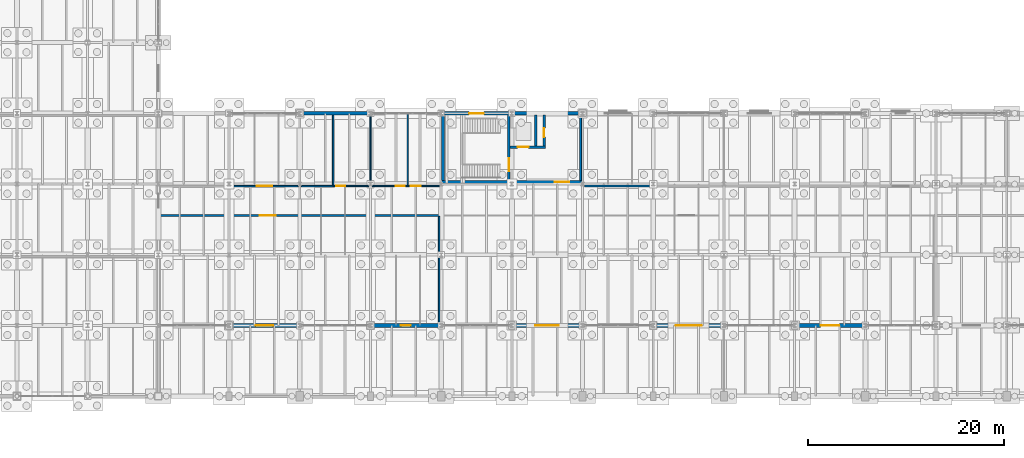
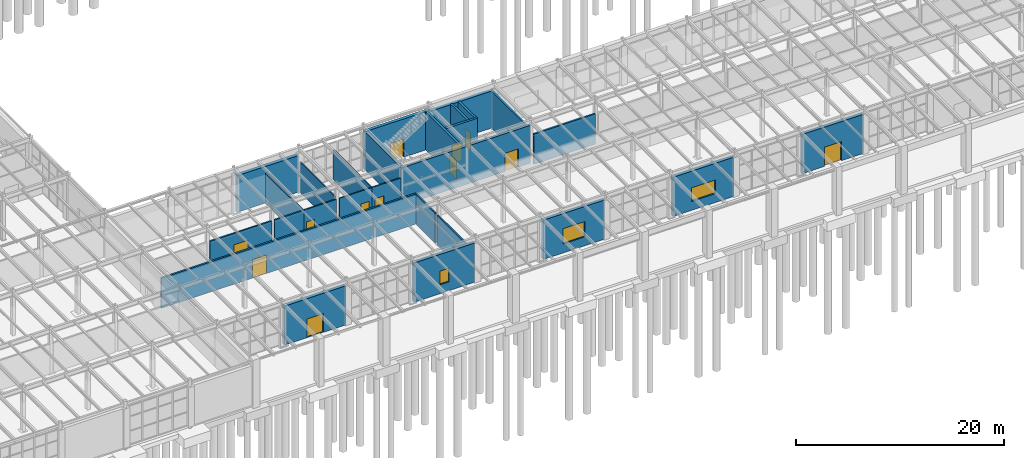
# One storey, part 265 of 293: 27 walls, 12 doors, 3 windows, 15 openings.
"""IFC4 building model written with IfcOpenShell, lengths in metres."""

from ifc_helpers import new_model, si_unit, direction, frame, frame_2d, origin, place, context, subcontext, project, spatial, rectangle, extrude, material, layer, layer_set, type_object, element, fill, save


model = new_model("IFC4")

# Units and contexts
model_context = context("Model", 3, precision=1e-05, world=origin(), true_north=direction((0.0, 1.0)))
body_context = subcontext(model_context, "Body", "Model", "MODEL_VIEW")
ifc_project = project(units=[si_unit("LENGTHUNIT", "METRE"), si_unit("AREAUNIT", "SQUARE_METRE"), si_unit("VOLUMEUNIT", "CUBIC_METRE"), si_unit("PLANEANGLEUNIT", "RADIAN"), si_unit("MASSUNIT", "GRAM", prefix="KILO")], contexts=[model_context])

# Site, building, storey
site_placement = place(None, origin())
site = spatial("IfcSite", under=ifc_project, at=site_placement, CompositionType="ELEMENT")
building_placement = place(site_placement, origin())
building = spatial("IfcBuilding", under=site, at=building_placement, Name="Kemerveld Promenade Tramway Depot", CompositionType="ELEMENT")
storey_placement = place(building_placement, origin())
storey = spatial("IfcBuildingStorey", under=building, at=storey_placement, Name="L00", CompositionType="ELEMENT", Elevation=0.0)

# Wall, opening, door
ifc_material_1 = material(Name="Concrete C40/50", Category="concrete")
ifc_layer_1 = layer(ifc_material_1, 0.25)
ifc_layer_set_1 = layer_set([ifc_layer_1], Name="WL-CORE-250")
wall_type_1 = type_object("IfcWallType", Name="WL-CORE-250", PredefinedType="SHEAR", material=ifc_layer_set_1)
wall_1_placement = place(storey_placement, frame((93.300048828125, 21.949951171875, 0.0), z_axis=(0.0, 0.0, 1.0), x_axis=(0.0, 1.0, 0.0)))
wall_1 = element("IfcWall", 1, at=wall_1_placement, inside=storey, type_object=wall_type_1, Name="WL-C4-L00-SDIV", PredefinedType="SHEAR", context=body_context, shape_type="SweptSolid", body=[
    extrude(rectangle(XDim=6.670166015625, YDim=0.25, at=frame_2d((3.3349609375, 0.0))), origin(), (0.0, 0.0, 1.0), 4.449951171875),
])
opening_1_placement = place(wall_1_placement, frame((0.949951171875, 0.0, 0.0)))
opening_1 = element("IfcOpeningElement", 2, at=opening_1_placement, cuts=wall_1, Name="Opening D-557", PredefinedType="OPENING", context=body_context, shape_type="SweptSolid", body=[
    extrude(rectangle(XDim=1.35009765625, YDim=2.14990234375, at=frame_2d((0.675048828125, 1.074951171875))), frame((0.0, 0.135009765625, 0.0), z_axis=(0.0, -1.0, 0.0), x_axis=(1.0, 0.0, 0.0)), (0.0, 0.0, 1.0), 0.27001953125),
])
ifc_material_2 = material(Name="Galvanised steel fire stair door", Category="steel")
door_type_1 = type_object("IfcDoorType", Name="DR-FD120", OperationType="NOTDEFINED", PredefinedType="DOOR", material=ifc_material_2)
door_1_placement = place(opening_1_placement, origin())
door_1 = element("IfcDoor", 3, at=door_1_placement, inside=storey, type_object=door_type_1, Name="DR-C4-L00-STAIR", OperationType="SINGLE_SWING_RIGHT", OverallHeight=2.14990234375, OverallWidth=1.35009765625, PredefinedType="DOOR", context=body_context, shape_type="SweptSolid", body=[
    extrude(rectangle(XDim=1.35009765625, YDim=2.14990234375, at=frame_2d((0.675048828125, 1.074951171875))), frame((0.0, 0.02490234375, 0.0), z_axis=(0.0, -1.0, 0.0), x_axis=(1.0, 0.0, 0.0)), (0.0, 0.0, 1.0), 0.050048828125),
])
fill(opening_1, door_1)

wall_2_placement = place(storey_placement, frame((93.425048828125, 25.360107421875, 0.0), z_axis=(0.0, 0.0, 1.0), x_axis=(1.0, 0.0, 0.0)))
wall_2 = element("IfcWall", 4, at=wall_2_placement, inside=storey, type_object=wall_type_1, Name="WL-C4-L00-LSHS", PredefinedType="SHEAR", context=body_context, shape_type="SweptSolid", body=[
    extrude(rectangle(XDim=3.579833984375, YDim=0.25, at=frame_2d((1.7900390625, 0.0))), origin(), (0.0, 0.0, 1.0), 4.449951171875),
])
opening_2_placement = place(wall_2_placement, frame((0.77490234375, 0.0, 0.0)))
opening_2 = element("IfcOpeningElement", 5, at=opening_2_placement, cuts=wall_2, Name="Opening LD-558", PredefinedType="OPENING", context=body_context, shape_type="SweptSolid", body=[
    extrude(rectangle(XDim=1.10009765625, YDim=2.14990234375, at=frame_2d((0.550048828125, 1.074951171875))), frame((0.0, 0.135009765625, 0.0), z_axis=(0.0, -1.0, 0.0), x_axis=(1.0, 0.0, 0.0)), (0.0, 0.0, 1.0), 0.27001953125),
])
ifc_material_3 = material(Name="Brushed stainless steel sliding lift landing door", Category="steel")
door_type_2 = type_object("IfcDoorType", Name="DR-LD01", OperationType="SLIDING_TO_LEFT", PredefinedType="DOOR", material=ifc_material_3)
door_2_placement = place(opening_2_placement, origin())
door_2 = element("IfcDoor", 6, at=door_2_placement, inside=storey, type_object=door_type_2, Name="DR-C4-L00-LIFT", OperationType="SLIDING_TO_LEFT", OverallHeight=2.14990234375, OverallWidth=1.10009765625, PredefinedType="DOOR", context=body_context, shape_type="SweptSolid", body=[
    extrude(rectangle(XDim=1.10009765625, YDim=2.14990234375, at=frame_2d((0.550048828125, 1.074951171875))), frame((0.0, 0.02490234375, 0.0), z_axis=(0.0, -1.0, 0.0), x_axis=(1.0, 0.0, 0.0)), (0.0, 0.0, 1.0), 0.050048828125),
])
fill(opening_2, door_2)

# Wall
wall_3_placement = place(storey_placement, frame((96.050048828125, 25.485107421875, 0.0), z_axis=(0.0, 0.0, 1.0), x_axis=(0.0, 1.0, 0.0)))
element("IfcWall", 7, at=wall_3_placement, inside=storey, type_object=wall_type_1, Name="WL-C4-L00-LSHM", PredefinedType="SHEAR", context=body_context, shape_type="SweptSolid", body=[
    extrude(rectangle(XDim=3.135009765625, YDim=0.25, at=frame_2d((1.5673828125, 0.0))), origin(), (0.0, 0.0, 1.0), 4.449951171875),
])

# Wall, opening, door
wall_4_placement = place(storey_placement, frame((96.8798828125, 25.485107421875, 0.0), z_axis=(0.0, 0.0, 1.0), x_axis=(0.0, 1.0, 0.0)))
wall_4 = element("IfcWall", 8, at=wall_4_placement, inside=storey, type_object=wall_type_1, Name="WL-C4-L00-LSHE", PredefinedType="SHEAR", context=body_context, shape_type="SweptSolid", body=[
    extrude(rectangle(XDim=3.135009765625, YDim=0.25, at=frame_2d((1.5673828125, 0.0))), origin(), (0.0, 0.0, 1.0), 4.449951171875),
])
opening_3_placement = place(wall_4_placement, frame((0.89990234375, 0.0, 0.0)))
opening_3 = element("IfcOpeningElement", 9, at=opening_3_placement, cuts=wall_4, Name="Opening D-559", PredefinedType="OPENING", context=body_context, shape_type="SweptSolid", body=[
    extrude(rectangle(XDim=0.919921875, YDim=2.050048828125, at=frame_2d((0.4599609375, 1.02490234375))), frame((0.0, 0.135009765625, 0.0), z_axis=(0.0, -1.0, 0.0), x_axis=(1.0, 0.0, 0.0)), (0.0, 0.0, 1.0), 0.27001953125),
])
ifc_material_4 = material(Name="Steel riser shaft access fire door", Category="steel")
door_type_3 = type_object("IfcDoorType", Name="DR-RSR01", OperationType="NOTDEFINED", PredefinedType="DOOR", material=ifc_material_4)
door_3_placement = place(opening_3_placement, origin())
door_3 = element("IfcDoor", 10, at=door_3_placement, inside=storey, type_object=door_type_3, Name="DR-C4-L00-RISER", OperationType="SINGLE_SWING_LEFT", OverallHeight=2.050048828125, OverallWidth=0.919921875, PredefinedType="DOOR", context=body_context, shape_type="SweptSolid", body=[
    extrude(rectangle(XDim=0.919921875, YDim=2.050048828125, at=frame_2d((0.4599609375, 1.02490234375))), frame((0.0, 0.02490234375, 0.0), z_axis=(0.0, -1.0, 0.0), x_axis=(1.0, 0.0, 0.0)), (0.0, 0.0, 1.0), 0.050048828125),
])
fill(opening_3, door_3)

ifc_layer_2 = layer(ifc_material_1, 0.300048828125)
ifc_layer_set_2 = layer_set([ifc_layer_2], Name="WL-CORE-300")
wall_type_2 = type_object("IfcWallType", Name="WL-CORE-300", PredefinedType="SHEAR", material=ifc_layer_set_2)
wall_5_placement = place(storey_placement, frame((86.449951171875, 21.800048828125, 0.0), z_axis=(0.0, 0.0, 1.0), x_axis=(1.0, 0.0, 0.0)))
wall_5 = element("IfcWall", 11, at=wall_5_placement, inside=storey, type_object=wall_type_2, Name="WL-C4-L00-S", PredefinedType="SHEAR", context=body_context, shape_type="SweptSolid", body=[
    extrude(rectangle(XDim=14.35009765625, YDim=0.300048828125, at=frame_2d((7.175048828125, 0.0))), origin(), (0.0, 0.0, 1.0), 4.449951171875),
])
opening_4_placement = place(wall_5_placement, frame((11.5, 0.0, 0.0)))
opening_4 = element("IfcOpeningElement", 12, at=opening_4_placement, cuts=wall_5, Name="Opening D-560", PredefinedType="OPENING", context=body_context, shape_type="SweptSolid", body=[
    extrude(rectangle(XDim=1.5, YDim=2.14990234375, at=frame_2d((0.75, 1.074951171875))), frame((0.0, 0.159912109375, 0.0), z_axis=(0.0, -1.0, 0.0), x_axis=(1.0, 0.0, 0.0)), (0.0, 0.0, 1.0), 0.320068359375),
])
ifc_material_5 = material(Name="Timber-faced acoustic fire lobby door", Category="wood")
door_type_4 = type_object("IfcDoorType", Name="DR-FD60A", OperationType="NOTDEFINED", PredefinedType="DOOR", material=ifc_material_5)
door_4_placement = place(opening_4_placement, origin())
door_4 = element("IfcDoor", 13, at=door_4_placement, inside=storey, type_object=door_type_4, Name="DR-C4-L00-LOBBY", OperationType="SINGLE_SWING_RIGHT", OverallHeight=2.14990234375, OverallWidth=1.5, PredefinedType="DOOR", context=body_context, shape_type="SweptSolid", body=[
    extrude(rectangle(XDim=1.5, YDim=2.14990234375, at=frame_2d((0.75, 1.074951171875))), frame((0.0, 0.02490234375, 0.0), z_axis=(0.0, -1.0, 0.0), x_axis=(1.0, 0.0, 0.0)), (0.0, 0.0, 1.0), 0.050048828125),
])
fill(opening_4, door_4)

# Wall
wall_6_placement = place(storey_placement, frame((86.60009765625, 21.949951171875, 0.0), z_axis=(0.0, 0.0, 1.0), x_axis=(0.0, 1.0, 0.0)))
element("IfcWall", 14, at=wall_6_placement, inside=storey, type_object=wall_type_2, Name="WL-C4-L00-W", PredefinedType="SHEAR", context=body_context, shape_type="SweptSolid", body=[
    extrude(rectangle(XDim=6.670166015625, YDim=0.300048828125, at=frame_2d((3.3349609375, 0.0))), origin(), (0.0, 0.0, 1.0), 4.449951171875),
])

# Wall, opening, door
ifc_material_6 = material(Name="Harare granite ashlar and clay brick cavity masonry", Category="masonry")
ifc_layer_3 = layer(ifc_material_6, 0.3798828125)
ifc_layer_set_3 = layer_set([ifc_layer_3], Name="WL-EXT-380")
wall_type_3 = type_object("IfcWallType", Name="WL-EXT-380", PredefinedType="SOLIDWALL", material=ifc_layer_set_3)
wall_7_placement = place(storey_placement, frame((129.40380859375, 7.199951171875, 0.0), z_axis=(0.0, 0.0, 1.0), x_axis=(-1.0, 0.0, 0.0)))
wall_7 = element("IfcWall", 15, at=wall_7_placement, inside=storey, type_object=wall_type_3, Name="WL-L00-V4S-05", PredefinedType="SOLIDWALL", context=body_context, shape_type="SweptSolid", body=[
    extrude(rectangle(XDim=6.8076171875, YDim=0.3798828125, at=frame_2d((3.40380859375, 0.0))), origin(), (0.0, 0.0, 1.0), 4.618408203125),
])
opening_5_placement = place(wall_7_placement, frame((2.4541015625, 0.0, 0.0)))
opening_5 = element("IfcOpeningElement", 16, at=opening_5_placement, cuts=wall_7, Name="Opening D-131", PredefinedType="OPENING", context=body_context, shape_type="SweptSolid", body=[
    extrude(rectangle(XDim=1.89990234375, YDim=2.25, at=frame_2d((0.949951171875, 1.125))), frame((0.0, 0.199951171875, 0.0), z_axis=(0.0, -1.0, 0.0), x_axis=(1.0, 0.0, 0.0)), (0.0, 0.0, 1.0), 0.39990234375),
])
ifc_material_7 = material(Name="Bronze anodised aluminium and safety glass", Category="aluminium")
door_type_5 = type_object("IfcDoorType", Name="DR-EX02", OperationType="DOUBLE_SWING_LEFT", PredefinedType="DOOR", material=ifc_material_7)
door_5_placement = place(opening_5_placement, origin())
door_5 = element("IfcDoor", 17, at=door_5_placement, inside=storey, type_object=door_type_5, Name="EX-11", OperationType="DOUBLE_SWING_LEFT", OverallHeight=2.25, OverallWidth=1.89990234375, PredefinedType="DOOR", context=body_context, shape_type="SweptSolid", body=[
    extrude(rectangle(XDim=1.89990234375, YDim=2.25, at=frame_2d((0.949951171875, 1.125))), frame((0.0, 0.02490234375, 0.0), z_axis=(0.0, -1.0, 0.0), x_axis=(1.0, 0.0, 0.0)), (0.0, 0.0, 1.0), 0.050048828125),
])
fill(opening_5, door_5)

# Wall, opening, window
wall_8_placement = place(storey_placement, frame((115.003662109375, 7.199951171875, 0.0), z_axis=(0.0, 0.0, 1.0), x_axis=(-1.0, 0.0, 0.0)))
wall_8 = element("IfcWall", 18, at=wall_8_placement, inside=storey, type_object=wall_type_3, Name="WL-L00-V4S-07", PredefinedType="SOLIDWALL", context=body_context, shape_type="SweptSolid", body=[
    extrude(rectangle(XDim=6.807373046875, YDim=0.3798828125, at=frame_2d((3.40380859375, 0.0))), origin(), (0.0, 0.0, 1.0), 4.618408203125),
])
opening_6_placement = place(wall_8_placement, frame((2.0791015625, 0.0, 1.050048828125)))
opening_6 = element("IfcOpeningElement", 19, at=opening_6_placement, cuts=wall_8, Name="Opening W-112", PredefinedType="OPENING", context=body_context, shape_type="SweptSolid", body=[
    extrude(rectangle(XDim=2.64990234375, YDim=1.60009765625, at=frame_2d((1.324951171875, 0.800048828125))), frame((0.0, 0.199951171875, 0.0), z_axis=(0.0, -1.0, 0.0), x_axis=(1.0, 0.0, 0.0)), (0.0, 0.0, 1.0), 0.39990234375),
])
ifc_material_8 = material(Name="Bronze anodised aluminium and low-e glass", Category="aluminium")
window_type_1 = type_object("IfcWindowType", Name="WN-40", PartitioningType="SINGLE_PANEL", PredefinedType="WINDOW", material=ifc_material_8)
window_1_placement = place(opening_6_placement, origin())
window_1 = element("IfcWindow", 20, at=window_1_placement, inside=storey, type_object=window_type_1, Name="WN-L00-V4S-07", OverallHeight=1.60009765625, OverallWidth=2.64990234375, PartitioningType="SINGLE_PANEL", PredefinedType="WINDOW", context=body_context, shape_type="SweptSolid", body=[
    extrude(rectangle(XDim=2.64990234375, YDim=1.60009765625, at=frame_2d((1.324951171875, 0.800048828125))), frame((0.0, 0.030029296875, 0.0), z_axis=(0.0, -1.0, 0.0), x_axis=(1.0, 0.0, 0.0)), (0.0, 0.0, 1.0), 0.06005859375),
])
fill(opening_6, window_1)

wall_9_placement = place(storey_placement, frame((100.603759765625, 7.199951171875, 0.0), z_axis=(0.0, 0.0, 1.0), x_axis=(-1.0, 0.0, 0.0)))
wall_9 = element("IfcWall", 21, at=wall_9_placement, inside=storey, type_object=wall_type_3, Name="WL-L00-V4S-09", PredefinedType="SOLIDWALL", context=body_context, shape_type="SweptSolid", body=[
    extrude(rectangle(XDim=6.807373046875, YDim=0.3798828125, at=frame_2d((3.40380859375, 0.0))), origin(), (0.0, 0.0, 1.0), 4.618408203125),
])
opening_7_placement = place(wall_9_placement, frame((2.2041015625, 0.0, 1.050048828125)))
opening_7 = element("IfcOpeningElement", 22, at=opening_7_placement, cuts=wall_9, Name="Opening W-113", PredefinedType="OPENING", context=body_context, shape_type="SweptSolid", body=[
    extrude(rectangle(XDim=2.39990234375, YDim=1.800048828125, at=frame_2d((1.199951171875, 0.89990234375))), frame((0.0, 0.199951171875, 0.0), z_axis=(0.0, -1.0, 0.0), x_axis=(1.0, 0.0, 0.0)), (0.0, 0.0, 1.0), 0.39990234375),
])
window_type_2 = type_object("IfcWindowType", Name="WN-10", PartitioningType="SINGLE_PANEL", PredefinedType="WINDOW", material=ifc_material_8)
window_2_placement = place(opening_7_placement, origin())
window_2 = element("IfcWindow", 23, at=window_2_placement, inside=storey, type_object=window_type_2, Name="WN-L00-V4S-09", OverallHeight=1.800048828125, OverallWidth=2.39990234375, PartitioningType="SINGLE_PANEL", PredefinedType="WINDOW", context=body_context, shape_type="SweptSolid", body=[
    extrude(rectangle(XDim=2.39990234375, YDim=1.800048828125, at=frame_2d((1.199951171875, 0.89990234375))), frame((0.0, 0.030029296875, 0.0), z_axis=(0.0, -1.0, 0.0), x_axis=(1.0, 0.0, 0.0)), (0.0, 0.0, 1.0), 0.06005859375),
])
fill(opening_7, window_2)

wall_10_placement = place(storey_placement, frame((86.20361328125, 7.199951171875, 0.0), z_axis=(0.0, 0.0, 1.0), x_axis=(-1.0, 0.0, 0.0)))
wall_10 = element("IfcWall", 24, at=wall_10_placement, inside=storey, type_object=wall_type_3, Name="WL-L00-V4S-11", PredefinedType="SOLIDWALL", context=body_context, shape_type="SweptSolid", body=[
    extrude(rectangle(XDim=6.807373046875, YDim=0.3798828125, at=frame_2d((3.40380859375, 0.0))), origin(), (0.0, 0.0, 1.0), 4.618408203125),
])
opening_8_placement = place(wall_10_placement, frame((2.904052734375, 0.0, 1.050048828125)))
opening_8 = element("IfcOpeningElement", 25, at=opening_8_placement, cuts=wall_10, Name="Opening W-114", PredefinedType="OPENING", context=body_context, shape_type="SweptSolid", body=[
    extrude(rectangle(XDim=1.0, YDim=1.60009765625, at=frame_2d((0.5, 0.800048828125))), frame((0.0, 0.199951171875, 0.0), z_axis=(0.0, -1.0, 0.0), x_axis=(1.0, 0.0, 0.0)), (0.0, 0.0, 1.0), 0.39990234375),
])
window_type_3 = type_object("IfcWindowType", Name="WN-20", PartitioningType="SINGLE_PANEL", PredefinedType="WINDOW", material=ifc_material_8)
window_3_placement = place(opening_8_placement, origin())
window_3 = element("IfcWindow", 26, at=window_3_placement, inside=storey, type_object=window_type_3, Name="WN-L00-V4S-11", OverallHeight=1.60009765625, OverallWidth=1.0, PartitioningType="SINGLE_PANEL", PredefinedType="WINDOW", context=body_context, shape_type="SweptSolid", body=[
    extrude(rectangle(XDim=1.0, YDim=1.60009765625, at=frame_2d((0.5, 0.800048828125))), frame((0.0, 0.030029296875, 0.0), z_axis=(0.0, -1.0, 0.0), x_axis=(1.0, 0.0, 0.0)), (0.0, 0.0, 1.0), 0.06005859375),
])
fill(opening_8, window_3)

# Wall, opening, door
wall_11_placement = place(storey_placement, frame((71.8037109375, 7.199951171875, 0.0), z_axis=(0.0, 0.0, 1.0), x_axis=(-1.0, 0.0, 0.0)))
wall_11 = element("IfcWall", 27, at=wall_11_placement, inside=storey, type_object=wall_type_3, Name="WL-L00-V4S-13", PredefinedType="SOLIDWALL", context=body_context, shape_type="SweptSolid", body=[
    extrude(rectangle(XDim=6.807373046875, YDim=0.3798828125, at=frame_2d((3.40380859375, 0.0))), origin(), (0.0, 0.0, 1.0), 4.593505859375),
])
opening_9_placement = place(wall_11_placement, frame((2.50390625, 0.0, 0.0)))
opening_9 = element("IfcOpeningElement", 28, at=opening_9_placement, cuts=wall_11, Name="Opening D-130", PredefinedType="OPENING", context=body_context, shape_type="SweptSolid", body=[
    extrude(rectangle(XDim=1.800048828125, YDim=2.199951171875, at=frame_2d((0.89990234375, 1.10009765625))), frame((0.0, 0.199951171875, 0.0), z_axis=(0.0, -1.0, 0.0), x_axis=(1.0, 0.0, 0.0)), (0.0, 0.0, 1.0), 0.39990234375),
])
door_type_6 = type_object("IfcDoorType", Name="DR-EX01", OperationType="DOUBLE_SWING_LEFT", PredefinedType="DOOR", material=ifc_material_7)
door_6_placement = place(opening_9_placement, origin())
door_6 = element("IfcDoor", 29, at=door_6_placement, inside=storey, type_object=door_type_6, Name="EX-10", OperationType="DOUBLE_SWING_LEFT", OverallHeight=2.199951171875, OverallWidth=1.800048828125, PredefinedType="DOOR", context=body_context, shape_type="SweptSolid", body=[
    extrude(rectangle(XDim=1.800048828125, YDim=2.199951171875, at=frame_2d((0.89990234375, 1.10009765625))), frame((0.0, 0.02490234375, 0.0), z_axis=(0.0, -1.0, 0.0), x_axis=(1.0, 0.0, 0.0)), (0.0, 0.0, 1.0), 0.050048828125),
])
fill(opening_9, door_6)

# Wall
wall_12_placement = place(storey_placement, frame((72.1962890625, 28.800048828125, 0.0), z_axis=(0.0, 0.0, 1.0), x_axis=(1.0, 0.0, 0.0)))
element("IfcWall", 30, at=wall_12_placement, inside=storey, type_object=wall_type_3, Name="WL-L00-V4N-03", PredefinedType="SOLIDWALL", context=body_context, shape_type="SweptSolid", body=[
    extrude(rectangle(XDim=6.807373046875, YDim=0.3798828125, at=frame_2d((3.40380859375, 0.0))), origin(), (0.0, 0.0, 1.0), 4.30419921875),
])

# Wall, opening, door
ifc_layer_4 = layer(ifc_material_1, 0.360107421875)
ifc_layer_set_4 = layer_set([ifc_layer_4], Name="WL-EXT-CORE")
wall_type_4 = type_object("IfcWallType", Name="WL-EXT-CORE", PredefinedType="SHEAR", material=ifc_layer_set_4)
wall_13_placement = place(storey_placement, frame((86.39990234375, 28.800048828125, 0.0), z_axis=(0.0, 0.0, 1.0), x_axis=(1.0, 0.0, 0.0)))
wall_13 = element("IfcWall", 31, at=wall_13_placement, inside=storey, type_object=wall_type_4, Name="WL-L00-V4N-05", PredefinedType="SHEAR", context=body_context, shape_type="SweptSolid", body=[
    extrude(rectangle(XDim=7.2001953125, YDim=0.360107421875, at=frame_2d((3.60009765625, 0.0))), origin(), (0.0, 0.0, 1.0), 4.5048828125),
])
opening_10_placement = place(wall_13_placement, frame((2.85009765625, 0.0, 0.0)))
opening_10 = element("IfcOpeningElement", 32, at=opening_10_placement, cuts=wall_13, Name="Opening D-129", PredefinedType="OPENING", context=body_context, shape_type="SweptSolid", body=[
    extrude(rectangle(XDim=1.5, YDim=2.14990234375, at=frame_2d((0.75, 1.074951171875))), frame((0.0, 0.18994140625, 0.0), z_axis=(0.0, -1.0, 0.0), x_axis=(1.0, 0.0, 0.0)), (0.0, 0.0, 1.0), 0.380126953125),
])
ifc_material_9 = material(Name="Galvanised painted steel fire-exit door", Category="steel")
door_type_7 = type_object("IfcDoorType", Name="DR-EX04", OperationType="NOTDEFINED", PredefinedType="DOOR", material=ifc_material_9)
door_7_placement = place(opening_10_placement, origin())
door_7 = element("IfcDoor", 33, at=door_7_placement, inside=storey, type_object=door_type_7, Name="EX-04", OperationType="SINGLE_SWING_RIGHT", OverallHeight=2.14990234375, OverallWidth=1.5, PredefinedType="DOOR", context=body_context, shape_type="SweptSolid", body=[
    extrude(rectangle(XDim=1.5, YDim=2.14990234375, at=frame_2d((0.75, 1.074951171875))), frame((0.0, 0.02490234375, 0.0), z_axis=(0.0, -1.0, 0.0), x_axis=(1.0, 0.0, 0.0)), (0.0, 0.0, 1.0), 0.050048828125),
])
fill(opening_10, door_7)

# Walls
wall_14_placement = place(storey_placement, frame((93.60009765625, 28.800048828125, 0.0), z_axis=(0.0, 0.0, 1.0), x_axis=(1.0, 0.0, 0.0)))
element("IfcWall", 34, at=wall_14_placement, inside=storey, type_object=wall_type_4, Name="WL-L00-V4N-06", PredefinedType="SHEAR", context=body_context, shape_type="SweptSolid", body=[
    extrude(rectangle(XDim=7.199951171875, YDim=0.360107421875, at=frame_2d((3.60009765625, 0.0))), origin(), (0.0, 0.0, 1.0), 4.35498046875),
])
ifc_material_10 = material(Name="Concrete blockwork C35/45", Category="masonry")
ifc_layer_5 = layer(ifc_material_10, 0.199951171875)
ifc_layer_set_5 = layer_set([ifc_layer_5], Name="WL-LOB-200")
wall_type_5 = type_object("IfcWallType", Name="WL-LOB-200", PredefinedType="SOLIDWALL", material=ifc_layer_set_5)
wall_15_placement = place(storey_placement, frame((100.60009765625, 21.949951171875, 0.0), z_axis=(0.0, 0.0, 1.0), x_axis=(0.0, 1.0, 0.0)))
element("IfcWall", 35, at=wall_15_placement, inside=storey, type_object=wall_type_5, Name="WL-C4-L00-E", PredefinedType="SOLIDWALL", context=body_context, shape_type="SweptSolid", body=[
    extrude(rectangle(XDim=6.670166015625, YDim=0.199951171875, at=frame_2d((3.3349609375, 0.0))), origin(), (0.0, 0.0, 1.0), 4.35009765625),
])

# Wall, opening, door
ifc_material_11 = material(Name="Moisture-resistant masonry partition", Category="masonry")
ifc_layer_6 = layer(ifc_material_11, 0.1298828125)
ifc_layer_set_6 = layer_set([ifc_layer_6], Name="WL-PRT-130")
wall_type_6 = type_object("IfcWallType", Name="WL-PRT-130", PredefinedType="PARTITIONING", material=ifc_layer_set_6)
wall_16_placement = place(storey_placement, frame((75.39990234375, 21.39990234375, 0.0), z_axis=(0.0, 0.0, 1.0), x_axis=(1.0, 0.0, 0.0)))
wall_16 = element("IfcWall", 36, at=wall_16_placement, inside=storey, type_object=wall_type_6, Name="WL-PRT-RM-L00-V4-WCM", PredefinedType="PARTITIONING", context=body_context, shape_type="SweptSolid", body=[
    extrude(rectangle(XDim=3.63916015625, YDim=0.1298828125, at=frame_2d((1.819580078125, 0.0))), origin(), (0.0, 0.0, 1.0), 3.550048828125),
])
opening_11_placement = place(wall_16_placement, frame((0.320068359375, 0.0, 0.0)))
opening_11 = element("IfcOpeningElement", 37, at=opening_11_placement, cuts=wall_16, Name="Opening D-603", PredefinedType="OPENING", context=body_context, shape_type="SweptSolid", body=[
    extrude(rectangle(XDim=0.89990234375, YDim=2.050048828125, at=frame_2d((0.449951171875, 1.02490234375))), frame((0.0, 0.074951171875, 0.0), z_axis=(0.0, -1.0, 0.0), x_axis=(1.0, 0.0, 0.0)), (0.0, 0.0, 1.0), 0.14990234375),
])
ifc_material_12 = material(Name="Moisture-resistant laminate WC door")
door_type_8 = type_object("IfcDoorType", Name="DR-WC01", OperationType="NOTDEFINED", PredefinedType="DOOR", material=ifc_material_12)
door_8_placement = place(opening_11_placement, origin())
door_8 = element("IfcDoor", 38, at=door_8_placement, inside=storey, type_object=door_type_8, Name="DR-RM-RM-L00-V4-WCM", OperationType="SINGLE_SWING_LEFT", OverallHeight=2.050048828125, OverallWidth=0.89990234375, PredefinedType="DOOR", context=body_context, shape_type="SweptSolid", body=[
    extrude(rectangle(XDim=0.89990234375, YDim=2.050048828125, at=frame_2d((0.449951171875, 1.02490234375))), frame((0.0, 0.02490234375, 0.0), z_axis=(0.0, -1.0, 0.0), x_axis=(1.0, 0.0, 0.0)), (0.0, 0.0, 1.0), 0.050048828125),
])
fill(opening_11, door_8)

wall_17_placement = place(storey_placement, frame((79.361083984375, 21.39990234375, 0.0), z_axis=(0.0, 0.0, 1.0), x_axis=(1.0, 0.0, 0.0)))
wall_17 = element("IfcWall", 39, at=wall_17_placement, inside=storey, type_object=wall_type_6, Name="WL-PRT-RM-L00-V4-WCF", PredefinedType="PARTITIONING", context=body_context, shape_type="SweptSolid", body=[
    extrude(rectangle(XDim=3.638916015625, YDim=0.1298828125, at=frame_2d((1.8193359375, 0.0))), origin(), (0.0, 0.0, 1.0), 3.550048828125),
])
opening_12_placement = place(wall_17_placement, frame((2.4189453125, 0.0, 0.0)))
opening_12 = element("IfcOpeningElement", 40, at=opening_12_placement, cuts=wall_17, Name="Opening D-604", PredefinedType="OPENING", context=body_context, shape_type="SweptSolid", body=[
    extrude(rectangle(XDim=0.89990234375, YDim=2.050048828125, at=frame_2d((0.449951171875, 1.02490234375))), frame((0.0, 0.074951171875, 0.0), z_axis=(0.0, -1.0, 0.0), x_axis=(1.0, 0.0, 0.0)), (0.0, 0.0, 1.0), 0.14990234375),
])
door_9_placement = place(opening_12_placement, origin())
door_9 = element("IfcDoor", 41, at=door_9_placement, inside=storey, type_object=door_type_8, Name="DR-RM-RM-L00-V4-WCF", OperationType="SINGLE_SWING_RIGHT", OverallHeight=2.050048828125, OverallWidth=0.89990234375, PredefinedType="DOOR", context=body_context, shape_type="SweptSolid", body=[
    extrude(rectangle(XDim=0.89990234375, YDim=2.050048828125, at=frame_2d((0.449951171875, 1.02490234375))), frame((0.0, 0.02490234375, 0.0), z_axis=(0.0, -1.0, 0.0), x_axis=(1.0, 0.0, 0.0)), (0.0, 0.0, 1.0), 0.050048828125),
])
fill(opening_12, door_9)

wall_18_placement = place(storey_placement, frame((83.0, 21.39990234375, 0.0), z_axis=(0.0, 0.0, 1.0), x_axis=(1.0, 0.0, 0.0)))
wall_18 = element("IfcWall", 42, at=wall_18_placement, inside=storey, type_object=wall_type_6, Name="WL-PRT-RM-L00-V4-WCA", PredefinedType="PARTITIONING", context=body_context, shape_type="SweptSolid", body=[
    extrude(rectangle(XDim=3.199951171875, YDim=0.1298828125, at=frame_2d((1.60009765625, 0.0))), origin(), (0.0, 0.0, 1.0), 3.550048828125),
])
opening_13_placement = place(wall_18_placement, frame((0.320068359375, 0.0, 0.0)))
opening_13 = element("IfcOpeningElement", 43, at=opening_13_placement, cuts=wall_18, Name="Opening D-605", PredefinedType="OPENING", context=body_context, shape_type="SweptSolid", body=[
    extrude(rectangle(XDim=0.97998046875, YDim=2.10009765625, at=frame_2d((0.489990234375, 1.050048828125))), frame((0.0, 0.074951171875, 0.0), z_axis=(0.0, -1.0, 0.0), x_axis=(1.0, 0.0, 0.0)), (0.0, 0.0, 1.0), 0.14990234375),
])
ifc_material_13 = material(Name="Accessible WC outward-opening door")
door_type_9 = type_object("IfcDoorType", Name="DR-WCA1", OperationType="NOTDEFINED", PredefinedType="DOOR", material=ifc_material_13)
door_10_placement = place(opening_13_placement, origin())
door_10 = element("IfcDoor", 44, at=door_10_placement, inside=storey, type_object=door_type_9, Name="DR-RM-RM-L00-V4-WCA", OperationType="SINGLE_SWING_LEFT", OverallHeight=2.10009765625, OverallWidth=0.97998046875, PredefinedType="DOOR", context=body_context, shape_type="SweptSolid", body=[
    extrude(rectangle(XDim=0.97998046875, YDim=2.10009765625, at=frame_2d((0.489990234375, 1.050048828125))), frame((0.0, 0.02490234375, 0.0), z_axis=(0.0, -1.0, 0.0), x_axis=(1.0, 0.0, 0.0)), (0.0, 0.0, 1.0), 0.050048828125),
])
fill(opening_13, door_10)

# Walls
wall_19_placement = place(storey_placement, frame((79.199951171875, 21.778076171875, 0.0), z_axis=(0.0, 0.0, 1.0), x_axis=(0.0, 1.0, 0.0)))
element("IfcWall", 45, at=wall_19_placement, inside=storey, type_object=wall_type_6, Name="WL-DIV-L00-023", PredefinedType="PARTITIONING", context=body_context, shape_type="SweptSolid", body=[
    extrude(rectangle(XDim=6.83203125, YDim=0.1298828125, at=frame_2d((3.416015625, 0.0))), origin(), (0.0, 0.0, 1.0), 3.550048828125),
])
wall_20_placement = place(storey_placement, frame((83.0, 21.465087890625, 0.0), z_axis=(0.0, 0.0, 1.0), x_axis=(0.0, 1.0, 0.0)))
element("IfcWall", 46, at=wall_20_placement, inside=storey, type_object=wall_type_6, Name="WL-DIV-L00-024", PredefinedType="PARTITIONING", context=body_context, shape_type="SweptSolid", body=[
    extrude(rectangle(XDim=7.2548828125, YDim=0.1298828125, at=frame_2d((3.62744140625, 0.0))), origin(), (0.0, 0.0, 1.0), 3.550048828125),
])

# Wall, opening, door
ifc_material_14 = material(Name="Acoustic twin-stud gypsum partition")
ifc_layer_7 = layer(ifc_material_14, 0.159912109375)
ifc_layer_set_7 = layer_set([ifc_layer_7], Name="WL-PRT-160")
wall_type_7 = type_object("IfcWallType", Name="WL-PRT-160", PredefinedType="PARTITIONING", material=ifc_layer_set_7)
wall_21_placement = place(storey_placement, frame((64.9609375, 21.39990234375, 0.0), z_axis=(0.0, 0.0, 1.0), x_axis=(1.0, 0.0, 0.0)))
wall_21 = element("IfcWall", 47, at=wall_21_placement, inside=storey, type_object=wall_type_7, Name="WL-PRT-RM-L00-V4-KIT", PredefinedType="PARTITIONING", context=body_context, shape_type="SweptSolid", body=[
    extrude(rectangle(XDim=6.878173828125, YDim=0.159912109375, at=frame_2d((3.43896484375, 0.0))), origin(), (0.0, 0.0, 1.0), 3.550048828125),
])
opening_14_placement = place(wall_21_placement, frame((2.638916015625, 0.0, 0.0)))
opening_14 = element("IfcOpeningElement", 48, at=opening_14_placement, cuts=wall_21, Name="Opening D-602", PredefinedType="OPENING", context=body_context, shape_type="SweptSolid", body=[
    extrude(rectangle(XDim=1.60009765625, YDim=2.199951171875, at=frame_2d((0.800048828125, 1.10009765625))), frame((0.0, 0.08984375, 0.0), z_axis=(0.0, -1.0, 0.0), x_axis=(1.0, 0.0, 0.0)), (0.0, 0.0, 1.0), 0.179931640625),
])
ifc_material_15 = material(Name="Double glazed gallery and canteen door")
door_type_10 = type_object("IfcDoorType", Name="DR-INT05", OperationType="DOUBLE_SWING_LEFT", PredefinedType="DOOR", material=ifc_material_15)
door_11_placement = place(opening_14_placement, origin())
door_11 = element("IfcDoor", 49, at=door_11_placement, inside=storey, type_object=door_type_10, Name="DR-RM-RM-L00-V4-KIT", OperationType="DOUBLE_SWING_LEFT", OverallHeight=2.199951171875, OverallWidth=1.60009765625, PredefinedType="DOOR", context=body_context, shape_type="SweptSolid", body=[
    extrude(rectangle(XDim=1.60009765625, YDim=2.199951171875, at=frame_2d((0.800048828125, 1.10009765625))), frame((0.0, 0.02490234375, 0.0), z_axis=(0.0, -1.0, 0.0), x_axis=(1.0, 0.0, 0.0)), (0.0, 0.0, 1.0), 0.050048828125),
])
fill(opening_14, door_11)

# Walls
wall_22_placement = place(storey_placement, frame((72.160888671875, 21.39990234375, 0.0), z_axis=(0.0, 0.0, 1.0), x_axis=(1.0, 0.0, 0.0)))
element("IfcWall", 50, at=wall_22_placement, inside=storey, type_object=wall_type_7, Name="WL-PRT-RM-L00-V4-KIT-S3", PredefinedType="PARTITIONING", context=body_context, shape_type="SweptSolid", body=[
    extrude(rectangle(XDim=3.239013671875, YDim=0.159912109375, at=frame_2d((1.61962890625, 0.0))), origin(), (0.0, 0.0, 1.0), 3.550048828125),
])
wall_23_placement = place(storey_placement, frame((86.199951171875, 7.389892578125, 0.0), z_axis=(0.0, 0.0, 1.0), x_axis=(0.0, 1.0, 0.0)))
element("IfcWall", 51, at=wall_23_placement, inside=storey, type_object=wall_type_7, Name="WL-DIV-L00-020", PredefinedType="PARTITIONING", context=body_context, shape_type="SweptSolid", body=[
    extrude(rectangle(XDim=6.83203125, YDim=0.159912109375, at=frame_2d((3.416015625, 0.0))), origin(), (0.0, 0.0, 1.0), 3.550048828125),
])
wall_24_placement = place(storey_placement, frame((86.199951171875, 14.577880859375, 0.0), z_axis=(0.0, 0.0, 1.0), x_axis=(0.0, 1.0, 0.0)))
element("IfcWall", 52, at=wall_24_placement, inside=storey, type_object=wall_type_7, Name="WL-DIV-L00-021", PredefinedType="PARTITIONING", context=body_context, shape_type="SweptSolid", body=[
    extrude(rectangle(XDim=3.72705078125, YDim=0.159912109375, at=frame_2d((1.863525390625, 0.0))), origin(), (0.0, 0.0, 1.0), 3.550048828125),
])
wall_25_placement = place(storey_placement, frame((75.39990234375, 21.47998046875, 0.0), z_axis=(0.0, 0.0, 1.0), x_axis=(0.0, 1.0, 0.0)))
element("IfcWall", 53, at=wall_25_placement, inside=storey, type_object=wall_type_7, Name="WL-DIV-L00-022", PredefinedType="PARTITIONING", context=body_context, shape_type="SweptSolid", body=[
    extrude(rectangle(XDim=7.130126953125, YDim=0.159912109375, at=frame_2d((3.56494140625, 0.0))), origin(), (0.0, 0.0, 1.0), 3.550048828125),
])

# Wall, opening, door
ifc_material_16 = material(Name="Plant and substation fire partition")
ifc_layer_8 = layer(ifc_material_16, 0.18994140625)
ifc_layer_set_8 = layer_set([ifc_layer_8], Name="WL-PRT-190")
wall_type_8 = type_object("IfcWallType", Name="WL-PRT-190", PredefinedType="PARTITIONING", material=ifc_layer_set_8)
wall_26_placement = place(storey_placement, frame((57.824951171875, 18.39990234375, 0.0), z_axis=(0.0, 0.0, 1.0), x_axis=(1.0, 0.0, 0.0)))
wall_26 = element("IfcWall", 54, at=wall_26_placement, inside=storey, type_object=wall_type_8, Name="WL-PRT-RM-L00-V4-CAFE", PredefinedType="PARTITIONING", context=body_context, shape_type="SweptSolid", body=[
    extrude(rectangle(XDim=28.375, YDim=0.18994140625, at=frame_2d((14.1875, 0.0))), origin(), (0.0, 0.0, 1.0), 3.550048828125),
])
opening_15_placement = place(wall_26_placement, frame((10.10498046875, 0.0, 0.0)))
opening_15 = element("IfcOpeningElement", 55, at=opening_15_placement, cuts=wall_26, Name="Opening D-601", PredefinedType="OPENING", context=body_context, shape_type="SweptSolid", body=[
    extrude(rectangle(XDim=1.60009765625, YDim=2.199951171875, at=frame_2d((0.800048828125, 1.10009765625))), frame((0.0, 0.10498046875, 0.0), z_axis=(0.0, -1.0, 0.0), x_axis=(1.0, 0.0, 0.0)), (0.0, 0.0, 1.0), 0.2099609375),
])
door_12_placement = place(opening_15_placement, origin())
door_12 = element("IfcDoor", 56, at=door_12_placement, inside=storey, type_object=door_type_10, Name="DR-RM-RM-L00-V4-CAFE", OperationType="DOUBLE_SWING_LEFT", OverallHeight=2.199951171875, OverallWidth=1.60009765625, PredefinedType="DOOR", context=body_context, shape_type="SweptSolid", body=[
    extrude(rectangle(XDim=1.60009765625, YDim=2.199951171875, at=frame_2d((0.800048828125, 1.10009765625))), frame((0.0, 0.02490234375, 0.0), z_axis=(0.0, -1.0, 0.0), x_axis=(1.0, 0.0, 0.0)), (0.0, 0.0, 1.0), 0.050048828125),
])
fill(opening_15, door_12)

# Wall
wall_27_placement = place(storey_placement, frame((101.0, 21.39990234375, 0.0), z_axis=(0.0, 0.0, 1.0), x_axis=(1.0, 0.0, 0.0)))
element("IfcWall", 57, at=wall_27_placement, inside=storey, type_object=wall_type_8, Name="WL-PRT-RM-L00-V4-FOY-S1", PredefinedType="PARTITIONING", context=body_context, shape_type="SweptSolid", body=[
    extrude(rectangle(XDim=6.839111328125, YDim=0.18994140625, at=frame_2d((3.41943359375, 0.0))), origin(), (0.0, 0.0, 1.0), 3.550048828125),
])

save(model, "model.ifc")
